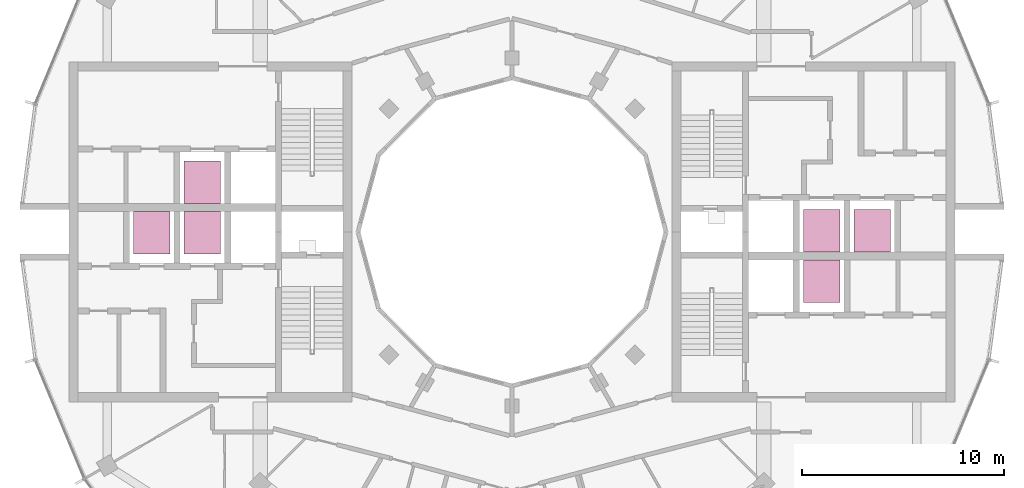
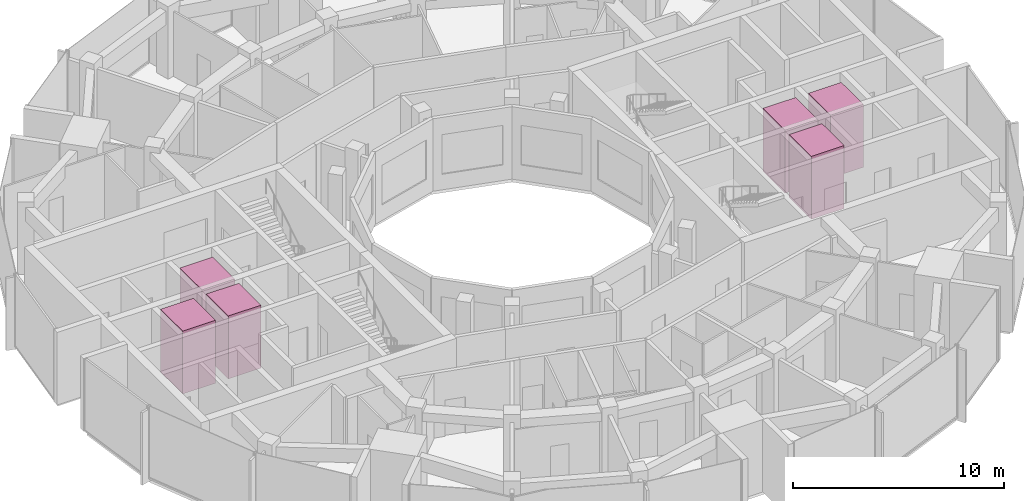
# One storey, part 15 of 15: 6 transport elements.
"""IFC4 building model written with IfcOpenShell, lengths in metres."""

from ifc_helpers import new_model, si_unit, direction, frame, origin, origin_2d, place, context, subcontext, project, spatial, rectangle, extrude, material, type_object, element, save


model = new_model("IFC4")

# Units and contexts
model_context = context("Model", 3, precision=1e-05, world=origin(), true_north=direction((0.0, 1.0)))
body_context = subcontext(model_context, "Body", "Model", "MODEL_VIEW")
ifc_project = project(units=[si_unit("LENGTHUNIT", "METRE"), si_unit("AREAUNIT", "SQUARE_METRE"), si_unit("VOLUMEUNIT", "CUBIC_METRE"), si_unit("PLANEANGLEUNIT", "RADIAN"), si_unit("MASSUNIT", "GRAM", prefix="KILO")], contexts=[model_context])

# Site, building, storey
site_placement = place(None, origin())
site = spatial("IfcSite", under=ifc_project, at=site_placement, CompositionType="ELEMENT")
building_placement = place(site_placement, origin())
building = spatial("IfcBuilding", under=site, at=building_placement, Name="Torre Brocal", CompositionType="ELEMENT")
storey_placement = place(building_placement, frame((0.0, 0.0, 279.89990234375)))
storey = spatial("IfcBuildingStorey", under=building, at=storey_placement, Name="L64", CompositionType="ELEMENT", Elevation=279.89990234375)

# Transport elements
ifc_material = material(Name="Stainless steel AISI 316", Category="steel")
transport_element_type = type_object("IfcTransportElementType", Name="PASSENGER LIFT", PredefinedType="ELEVATOR", material=ifc_material)
for number, where, z_axis, x_axis, name in (
    (1, (95.300048828125, 75.050048828125, 0.000244140625), (0.0, 0.0, 1.0), (1.0, 0.0, 0.0), "HIGH RISE LIFT E-HR1"),
    (2, (95.300048828125, 72.550048828125, 0.000244140625), (0.0, 0.0, 1.0), (1.0, 0.0, 0.0), "HIGH RISE LIFT E-HR2"),
    (3, (97.800048828125, 75.050048828125, 0.000244140625), (0.0, 0.0, 1.0), (1.0, 0.0, 0.0), "HIGH RISE LIFT E-HR3"),
    (4, (64.699951171875, 74.949951171875, 0.000244140625), (0.0, 0.0, 1.0), (1.0, 0.0, 0.0), "HIGH RISE LIFT W-HR1"),
    (5, (64.699951171875, 77.449951171875, 0.000244140625), (0.0, 0.0, 1.0), (1.0, 0.0, 0.0), "HIGH RISE LIFT W-HR2"),
    (6, (62.199951171875, 74.949951171875, 0.000244140625), (0.0, 0.0, 1.0), (1.0, 0.0, 0.0), "HIGH RISE LIFT W-HR3"),
):
    element("IfcTransportElement", number, at=place(storey_placement, frame(where, z_axis=z_axis, x_axis=x_axis)), inside=storey, type_object=transport_element_type, Name=name, PredefinedType="ELEVATOR", context=body_context, shape_type="SweptSolid", body=[
        extrude(rectangle(XDim=1.800048828125, YDim=2.10009765625, at=origin_2d()), origin(), (0.0, 0.0, 1.0), 3.64990234375),
    ])

save(model, "model.ifc")
